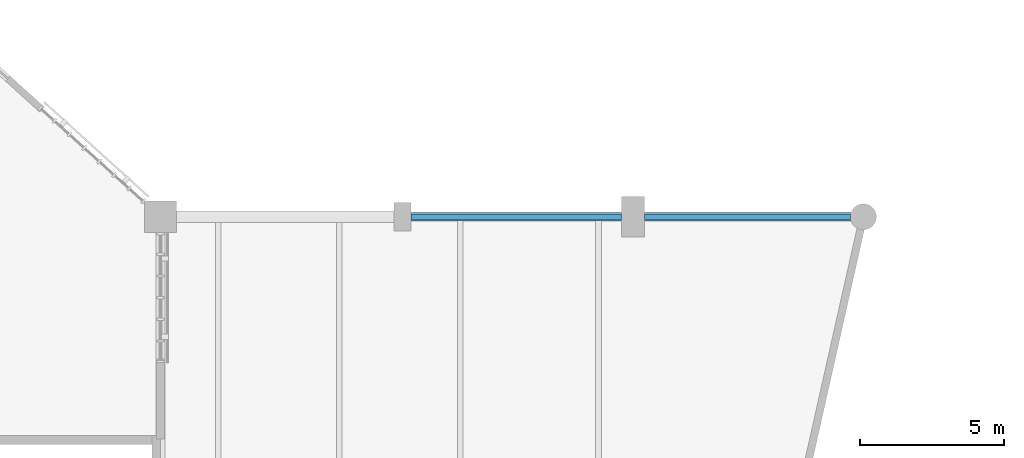
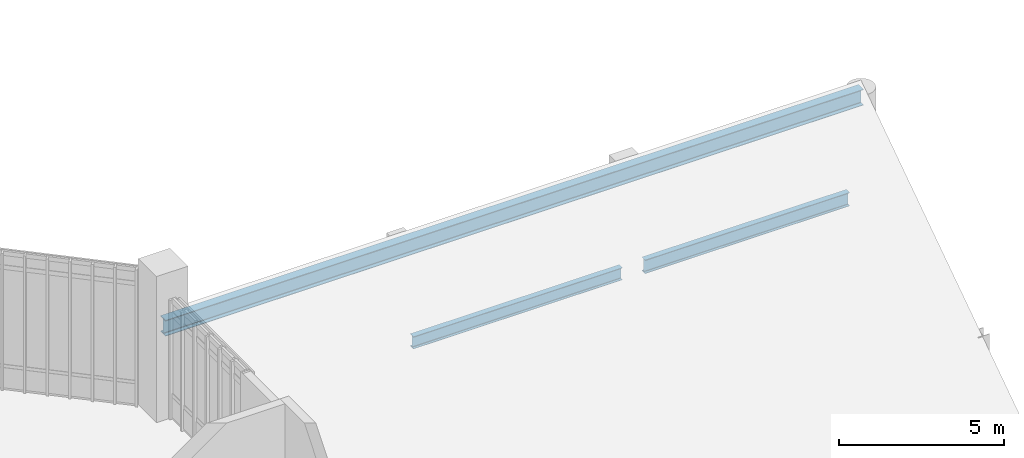
# One storey, part 32 of 135: 3 beams.
"""IFC4 building model written with IfcOpenShell, lengths in metres."""

from ifc_helpers import new_model, si_unit, direction, frame, origin, origin_2d, place, context, subcontext, project, spatial, i_section, extrude, material, material_profile, profile_set, type_object, element, save


model = new_model("IFC4")

# Units and contexts
model_context = context("Model", 3, precision=1e-05, world=origin(), true_north=direction((0.0, 1.0)))
body_context = subcontext(model_context, "Body", "Model", "MODEL_VIEW")
ifc_project = project(units=[si_unit("LENGTHUNIT", "METRE"), si_unit("AREAUNIT", "SQUARE_METRE"), si_unit("VOLUMEUNIT", "CUBIC_METRE"), si_unit("PLANEANGLEUNIT", "RADIAN"), si_unit("MASSUNIT", "GRAM", prefix="KILO")], contexts=[model_context])

# Site, building, storey
site_placement = place(None, origin())
site = spatial("IfcSite", under=ifc_project, at=site_placement, CompositionType="ELEMENT")
building_placement = place(site_placement, origin())
building = spatial("IfcBuilding", under=site, at=building_placement, Name="Larkvane Passage Sports Hall", CompositionType="ELEMENT")
storey_placement = place(building_placement, frame((0.0, 0.0, 16.800048828125)))
storey = spatial("IfcBuildingStorey", under=building, at=storey_placement, Name="L03", CompositionType="ELEMENT", Elevation=16.800048828125)

# Beams
ifc_material_1 = material(Name="Steel S460N", Category="steel")
ifc_material_profile_1 = material_profile(ifc_material_1, i_section(OverallWidth=0.300048828125, OverallDepth=0.587890625, WebThickness=0.011962890625, FlangeThickness=0.02001953125, FilletRadius=0.02197265625, at=origin_2d()), Name="H-588x300x12x20")
ifc_profile_set_1 = profile_set([ifc_material_profile_1], Name="Steel S460N")
beam_type_1 = type_object("IfcBeamType", Name="BM-STL-H588", PredefinedType="BEAM", material=ifc_profile_set_1)
beam_1_placement = place(storey_placement, frame((93.60009765625, 99.199951171875, 3.050048828125), z_axis=(1.0, 0.0, 0.0), x_axis=(0.0, 1.0, 0.0)))
element("IfcBeam", 1, at=beam_1_placement, inside=storey, type_object=beam_type_1, Name="Climbing hall north ridge girder", PredefinedType="BEAM", context=body_context, shape_type="SweptSolid", body=[
    extrude(i_section(OverallWidth=0.300048828125, OverallDepth=0.587890625, WebThickness=0.011962890625, FlangeThickness=0.02001953125, FilletRadius=0.02197265625, at=origin_2d()), origin(), (0.0, 0.0, 1.0), 24.39990234375),
])
ifc_material_2 = material(Name="Steel S355JR", Category="steel")
ifc_material_profile_2 = material_profile(ifc_material_2, i_section(OverallWidth=0.199951171875, OverallDepth=0.449951171875, WebThickness=0.009033203125, FlangeThickness=0.013916015625, FilletRadius=0.01806640625, at=origin_2d()), Name="H-450x200x9x14")
ifc_profile_set_2 = profile_set([ifc_material_profile_2], Name="Steel S355JR")
beam_type_2 = type_object("IfcBeamType", Name="SP-STL-H450", PredefinedType="SPANDREL", material=ifc_profile_set_2)
beam_2_placement = place(storey_placement, frame((102.300048828125, 99.199951171875, -0.56494140625), z_axis=(1.0, 0.0, 0.0), x_axis=(0.0, 1.0, 0.0)))
element("IfcBeam", 2, at=beam_2_placement, inside=storey, type_object=beam_type_2, Name="Girder BM5-X-L03-M-1015", PredefinedType="SPANDREL", context=body_context, shape_type="SweptSolid", body=[
    extrude(i_section(OverallWidth=0.199951171875, OverallDepth=0.449951171875, WebThickness=0.009033203125, FlangeThickness=0.013916015625, FilletRadius=0.01806640625, at=origin_2d()), origin(), (0.0, 0.0, 1.0), 7.300048828125),
])
ifc_material_profile_3 = material_profile(ifc_material_2, i_section(OverallWidth=0.199951171875, OverallDepth=0.5, WebThickness=0.010009765625, FlangeThickness=0.01611328125, FilletRadius=0.01806640625, at=origin_2d()), Name="H-500x200x10x16")
ifc_profile_set_3 = profile_set([ifc_material_profile_3], Name="Steel S355JR")
beam_type_3 = type_object("IfcBeamType", Name="SP-STL-H500", PredefinedType="SPANDREL", material=ifc_profile_set_3)
beam_3_placement = place(storey_placement, frame((110.39990234375, 99.199951171875, -0.590087890625), z_axis=(1.0, 0.0, 0.0), x_axis=(0.0, 1.0, 0.0)))
element("IfcBeam", 3, at=beam_3_placement, inside=storey, type_object=beam_type_3, Name="Girder BM5-X-L03-M-1016", PredefinedType="SPANDREL", context=body_context, shape_type="SweptSolid", body=[
    extrude(i_section(OverallWidth=0.199951171875, OverallDepth=0.5, WebThickness=0.010009765625, FlangeThickness=0.01611328125, FilletRadius=0.01806640625, at=origin_2d()), origin(), (0.0, 0.0, 1.0), 7.150146484375),
])

save(model, "model.ifc")
